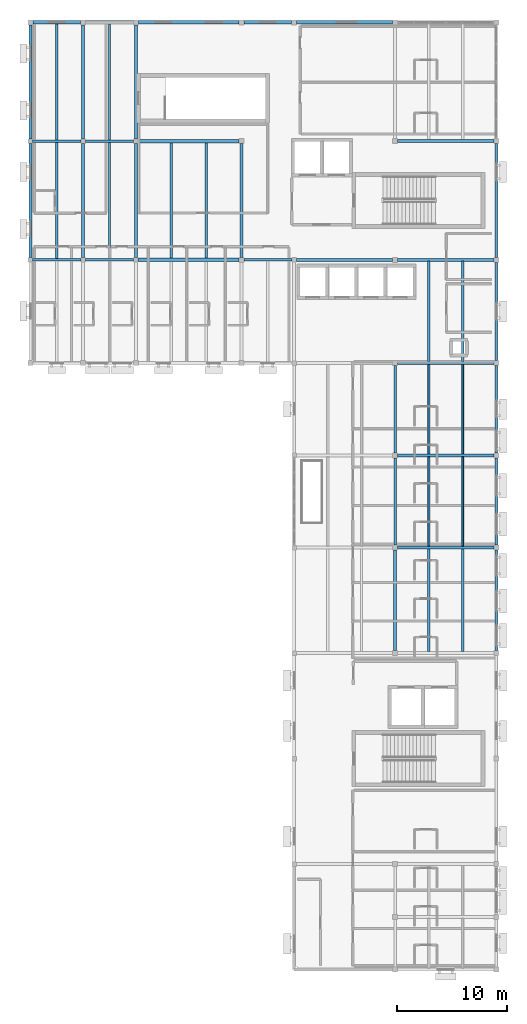
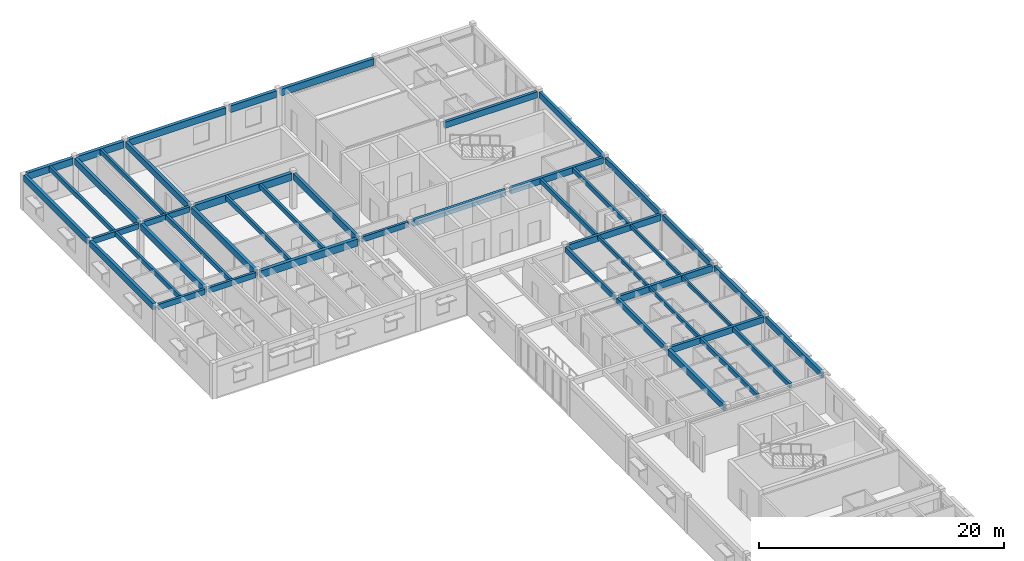
# One storey, part 3 of 17: 47 beams.
"""IFC4 building model written with IfcOpenShell, lengths in metres."""

from ifc_helpers import new_model, si_unit, direction, frame, origin, origin_2d, place, context, subcontext, project, spatial, rectangle, extrude, material, material_profile, profile_set, type_object, element, save


model = new_model("IFC4")

# Units and contexts
model_context = context("Model", 3, precision=1e-05, world=origin(), true_north=direction((0.0, 1.0)))
body_context = subcontext(model_context, "Body", "Model", "MODEL_VIEW")
ifc_project = project(units=[si_unit("LENGTHUNIT", "METRE"), si_unit("AREAUNIT", "SQUARE_METRE"), si_unit("VOLUMEUNIT", "CUBIC_METRE"), si_unit("PLANEANGLEUNIT", "RADIAN"), si_unit("MASSUNIT", "GRAM", prefix="KILO")], contexts=[model_context])

# Site, building, storey
site_placement = place(None, origin())
site = spatial("IfcSite", under=ifc_project, at=site_placement, CompositionType="ELEMENT")
building_placement = place(site_placement, origin())
building = spatial("IfcBuilding", under=site, at=building_placement, Name="Veldera Park Congress Hotel", CompositionType="ELEMENT")
storey_placement = place(building_placement, frame((0.0, 0.0, 35.199951171875)))
storey = spatial("IfcBuildingStorey", under=building, at=storey_placement, Name="L08", CompositionType="ELEMENT", Elevation=35.199951171875)

# Beams
ifc_material = material(Name="Glulam GL28h (NDS 24F-V4)", Category="wood")
ifc_material_profile_1 = material_profile(ifc_material, rectangle(XDim=0.239990234375, YDim=0.5400390625, at=origin_2d()), Name="GL28h 240x540")
ifc_profile_set_1 = profile_set([ifc_material_profile_1], Name="Glulam GL28h (NDS 24F-V4)")
beam_type_1 = type_object("IfcBeamType", Name="BM-GL540", PredefinedType="BEAM", material=ifc_profile_set_1)
for number, where, z_axis, x_axis, name in (
    (1, (41.81005859375, 36.39990234375, 3.295166015625), (1.0, 0.0, 0.0), (0.0, 1.0, 0.0), "L08 Girder BM-GL540 1749"),
    (2, (46.610107421875, 36.39990234375, 3.295166015625), (1.0, 0.0, 0.0), (0.0, 1.0, 0.0), "L08 Girder BM-GL540 1750"),
):
    element("IfcBeam", number, at=place(storey_placement, frame(where, z_axis=z_axis, x_axis=x_axis)), inside=storey, type_object=beam_type_1, Name=name, PredefinedType="BEAM", context=body_context, shape_type="SweptSolid", body=[
        extrude(rectangle(XDim=0.239990234375, YDim=0.5400390625, at=origin_2d()), origin(), (0.0, 0.0, 1.0), 4.3798828125),
    ])
beam_1_placement = place(storey_placement, frame((61.02490234375, 36.39990234375, 3.295166015625), z_axis=(1.0, 0.0, 0.0), x_axis=(0.0, 1.0, 0.0)))
element("IfcBeam", 3, at=beam_1_placement, inside=storey, type_object=beam_type_1, Name="L08 Girder BM-GL540 1752", PredefinedType="BEAM", context=body_context, shape_type="SweptSolid", body=[
    extrude(rectangle(XDim=0.239990234375, YDim=0.5400390625, at=origin_2d()), origin(), (0.0, 0.0, 1.0), 4.364990234375),
])
for number, where, z_axis, x_axis, name in (
    (4, (41.81005859375, 47.199951171875, 3.295166015625), (1.0, 0.0, 0.0), (0.0, 1.0, 0.0), "L08 Girder BM-GL540 1755"),
    (5, (46.610107421875, 47.199951171875, 3.295166015625), (1.0, 0.0, 0.0), (0.0, 1.0, 0.0), "L08 Girder BM-GL540 1756"),
):
    element("IfcBeam", number, at=place(storey_placement, frame(where, z_axis=z_axis, x_axis=x_axis)), inside=storey, type_object=beam_type_1, Name=name, PredefinedType="BEAM", context=body_context, shape_type="SweptSolid", body=[
        extrude(rectangle(XDim=0.239990234375, YDim=0.5400390625, at=origin_2d()), origin(), (0.0, 0.0, 1.0), 4.3798828125),
    ])
for number, where, z_axis, x_axis, name in (
    (6, (74.800048828125, 10.425048828125, 3.295166015625), (0.0, 1.0, 0.0), (-1.0, 0.0, 0.0), "L08 Girder BM-GL540 1785"),
    (7, (74.800048828125, 18.824951171875, 3.295166015625), (0.0, 1.0, 0.0), (-1.0, 0.0, 0.0), "L08 Girder BM-GL540 1786"),
):
    element("IfcBeam", number, at=place(storey_placement, frame(where, z_axis=z_axis, x_axis=x_axis)), inside=storey, type_object=beam_type_1, Name=name, PredefinedType="BEAM", context=body_context, shape_type="SweptSolid", body=[
        extrude(rectangle(XDim=0.239990234375, YDim=0.5400390625, at=origin_2d()), origin(), (0.0, 0.0, 1.0), 7.949951171875),
    ])
ifc_material_profile_2 = material_profile(ifc_material, rectangle(XDim=0.264892578125, YDim=0.580078125, at=origin_2d()), Name="GL28h 265x580")
ifc_profile_set_2 = profile_set([ifc_material_profile_2], Name="Glulam GL28h (NDS 24F-V4)")
beam_type_2 = type_object("IfcBeamType", Name="BM-GL540E", PredefinedType="BEAM", material=ifc_profile_set_2)
beam_2_placement = place(storey_placement, frame((84.0, 0.824951171875, 3.275146484375), z_axis=(0.0, 1.0, 0.0), x_axis=(-1.0, 0.0, 0.0)))
element("IfcBeam", 8, at=beam_2_placement, inside=storey, type_object=beam_type_2, Name="L08 Girder BM-GL540E 1792", PredefinedType="BEAM", context=body_context, shape_type="SweptSolid", body=[
    extrude(rectangle(XDim=0.264892578125, YDim=0.580078125, at=origin_2d()), origin(), (0.0, 0.0, 1.0), 9.150146484375),
])
for number, where, z_axis, x_axis, name in (
    (9, (84.0, 10.425048828125, 3.275146484375), (0.0, 1.0, 0.0), (-1.0, 0.0, 0.0), "L08 Girder BM-GL540E 1793"),
    (10, (84.0, 18.824951171875, 3.275146484375), (0.0, 1.0, 0.0), (-1.0, 0.0, 0.0), "L08 Girder BM-GL540E 1794"),
):
    element("IfcBeam", number, at=place(storey_placement, frame(where, z_axis=z_axis, x_axis=x_axis)), inside=storey, type_object=beam_type_2, Name=name, PredefinedType="BEAM", context=body_context, shape_type="SweptSolid", body=[
        extrude(rectangle(XDim=0.264892578125, YDim=0.580078125, at=origin_2d()), origin(), (0.0, 0.0, 1.0), 7.949951171875),
    ])
beam_3_placement = place(storey_placement, frame((84.0, 27.22509765625, 3.275146484375), z_axis=(0.0, 1.0, 0.0), x_axis=(-1.0, 0.0, 0.0)))
element("IfcBeam", 11, at=beam_3_placement, inside=storey, type_object=beam_type_2, Name="L08 Girder BM-GL540E 1795", PredefinedType="BEAM", context=body_context, shape_type="SweptSolid", body=[
    extrude(rectangle(XDim=0.264892578125, YDim=0.580078125, at=origin_2d()), origin(), (0.0, 0.0, 1.0), 8.949951171875),
])
beam_4_placement = place(storey_placement, frame((84.0, 36.625, 3.275146484375), z_axis=(0.0, 1.0, 0.0), x_axis=(-1.0, 0.0, 0.0)))
element("IfcBeam", 12, at=beam_4_placement, inside=storey, type_object=beam_type_2, Name="L08 Girder BM-GL540E 1796", PredefinedType="BEAM", context=body_context, shape_type="SweptSolid", body=[
    extrude(rectangle(XDim=0.264892578125, YDim=0.580078125, at=origin_2d()), origin(), (0.0, 0.0, 1.0), 10.35009765625),
])
ifc_material_profile_3 = material_profile(ifc_material, rectangle(XDim=0.264892578125, YDim=0.6201171875, at=origin_2d()), Name="GL28h 265x620")
ifc_profile_set_3 = profile_set([ifc_material_profile_3], Name="Glulam GL28h (NDS 24F-V4)")
beam_type_3 = type_object("IfcBeamType", Name="BM-GL620", PredefinedType="BEAM", material=ifc_profile_set_3)
for number, where, z_axis, x_axis, name in (
    (13, (75.02490234375, 10.199951171875, 3.255126953125), (1.0, 0.0, 0.0), (0.0, 1.0, 0.0), "L08 Girder BM-GL620 1740"),
    (14, (75.02490234375, 18.60009765625, 3.255126953125), (1.0, 0.0, 0.0), (0.0, 1.0, 0.0), "L08 Girder BM-GL620 1742"),
    (15, (75.02490234375, 27.0, 3.255126953125), (1.0, 0.0, 0.0), (0.0, 1.0, 0.0), "L08 Girder BM-GL620 1748"),
):
    element("IfcBeam", number, at=place(storey_placement, frame(where, z_axis=z_axis, x_axis=x_axis)), inside=storey, type_object=beam_type_3, Name=name, PredefinedType="BEAM", context=body_context, shape_type="SweptSolid", body=[
        extrude(rectangle(XDim=0.264892578125, YDim=0.6201171875, at=origin_2d()), origin(), (0.0, 0.0, 1.0), 8.75),
    ])
beam_5_placement = place(storey_placement, frame((65.81005859375, 36.39990234375, 3.255126953125), z_axis=(1.0, 0.0, 0.0), x_axis=(0.0, 1.0, 0.0)))
element("IfcBeam", 16, at=beam_5_placement, inside=storey, type_object=beam_type_3, Name="L08 Girder BM-GL620 1753", PredefinedType="BEAM", context=body_context, shape_type="SweptSolid", body=[
    extrude(rectangle(XDim=0.264892578125, YDim=0.6201171875, at=origin_2d()), origin(), (0.0, 0.0, 1.0), 8.764892578125),
])
for number, where, z_axis, x_axis, name in (
    (17, (75.02490234375, 36.39990234375, 3.255126953125), (1.0, 0.0, 0.0), (0.0, 1.0, 0.0), "L08 Girder BM-GL620 1754"),
    (18, (75.02490234375, 47.199951171875, 3.255126953125), (1.0, 0.0, 0.0), (0.0, 1.0, 0.0), "L08 Girder BM-GL620 1758"),
):
    element("IfcBeam", number, at=place(storey_placement, frame(where, z_axis=z_axis, x_axis=x_axis)), inside=storey, type_object=beam_type_3, Name=name, PredefinedType="BEAM", context=body_context, shape_type="SweptSolid", body=[
        extrude(rectangle(XDim=0.264892578125, YDim=0.6201171875, at=origin_2d()), origin(), (0.0, 0.0, 1.0), 8.75),
    ])
ifc_material_profile_4 = material_profile(ifc_material, rectangle(XDim=0.280029296875, YDim=0.639892578125, at=origin_2d()), Name="GL28h 280x640")
ifc_profile_set_4 = profile_set([ifc_material_profile_4], Name="Glulam GL28h (NDS 24F-V4)")
beam_type_4 = type_object("IfcBeamType", Name="BM-GL640", PredefinedType="BEAM", material=ifc_profile_set_4)
beam_6_placement = place(storey_placement, frame((41.60009765625, 36.610107421875, 3.2451171875), z_axis=(0.0, 1.0, 0.0), x_axis=(-1.0, 0.0, 0.0)))
element("IfcBeam", 19, at=beam_6_placement, inside=storey, type_object=beam_type_4, Name="L08 Girder BM-GL640 1766", PredefinedType="BEAM", context=body_context, shape_type="SweptSolid", body=[
    extrude(rectangle(XDim=0.280029296875, YDim=0.639892578125, at=origin_2d()), origin(), (0.0, 0.0, 1.0), 10.3798828125),
])
beam_7_placement = place(storey_placement, frame((41.60009765625, 47.409912109375, 3.2451171875), z_axis=(0.0, 1.0, 0.0), x_axis=(-1.0, 0.0, 0.0)))
element("IfcBeam", 20, at=beam_7_placement, inside=storey, type_object=beam_type_4, Name="L08 Girder BM-GL640 1767", PredefinedType="BEAM", context=body_context, shape_type="SweptSolid", body=[
    extrude(rectangle(XDim=0.280029296875, YDim=0.639892578125, at=origin_2d()), origin(), (0.0, 0.0, 1.0), 10.364990234375),
])
beam_8_placement = place(storey_placement, frame((46.39990234375, 36.610107421875, 3.2451171875), z_axis=(0.0, 1.0, 0.0), x_axis=(-1.0, 0.0, 0.0)))
element("IfcBeam", 21, at=beam_8_placement, inside=storey, type_object=beam_type_4, Name="L08 Girder BM-GL640 1769", PredefinedType="BEAM", context=body_context, shape_type="SweptSolid", body=[
    extrude(rectangle(XDim=0.280029296875, YDim=0.639892578125, at=origin_2d()), origin(), (0.0, 0.0, 1.0), 10.3798828125),
])
beam_9_placement = place(storey_placement, frame((46.39990234375, 47.409912109375, 3.2451171875), z_axis=(0.0, 1.0, 0.0), x_axis=(-1.0, 0.0, 0.0)))
element("IfcBeam", 22, at=beam_9_placement, inside=storey, type_object=beam_type_4, Name="L08 Girder BM-GL640 1770", PredefinedType="BEAM", context=body_context, shape_type="SweptSolid", body=[
    extrude(rectangle(XDim=0.280029296875, YDim=0.639892578125, at=origin_2d()), origin(), (0.0, 0.0, 1.0), 10.364990234375),
])
beam_10_placement = place(storey_placement, frame((51.199951171875, 36.610107421875, 3.2451171875), z_axis=(0.0, 1.0, 0.0), x_axis=(-1.0, 0.0, 0.0)))
element("IfcBeam", 23, at=beam_10_placement, inside=storey, type_object=beam_type_4, Name="L08 Girder BM-GL640 1772", PredefinedType="BEAM", context=body_context, shape_type="SweptSolid", body=[
    extrude(rectangle(XDim=0.280029296875, YDim=0.639892578125, at=origin_2d()), origin(), (0.0, 0.0, 1.0), 10.3798828125),
])
beam_11_placement = place(storey_placement, frame((51.199951171875, 47.409912109375, 3.2451171875), z_axis=(0.0, 1.0, 0.0), x_axis=(-1.0, 0.0, 0.0)))
element("IfcBeam", 24, at=beam_11_placement, inside=storey, type_object=beam_type_4, Name="L08 Girder BM-GL640 1773", PredefinedType="BEAM", context=body_context, shape_type="SweptSolid", body=[
    extrude(rectangle(XDim=0.280029296875, YDim=0.639892578125, at=origin_2d()), origin(), (0.0, 0.0, 1.0), 10.364990234375),
])
beam_12_placement = place(storey_placement, frame((60.800048828125, 36.625, 3.2451171875), z_axis=(0.0, 1.0, 0.0), x_axis=(-1.0, 0.0, 0.0)))
element("IfcBeam", 25, at=beam_12_placement, inside=storey, type_object=beam_type_4, Name="L08 Girder BM-GL640 1775", PredefinedType="BEAM", context=body_context, shape_type="SweptSolid", body=[
    extrude(rectangle(XDim=0.280029296875, YDim=0.639892578125, at=origin_2d()), origin(), (0.0, 0.0, 1.0), 10.35009765625),
])
beam_13_placement = place(storey_placement, frame((74.800048828125, 0.824951171875, 3.2451171875), z_axis=(0.0, 1.0, 0.0), x_axis=(-1.0, 0.0, 0.0)))
element("IfcBeam", 26, at=beam_13_placement, inside=storey, type_object=beam_type_4, Name="L08 Girder BM-GL640 1784", PredefinedType="BEAM", context=body_context, shape_type="SweptSolid", body=[
    extrude(rectangle(XDim=0.280029296875, YDim=0.639892578125, at=origin_2d()), origin(), (0.0, 0.0, 1.0), 9.150146484375),
])
ifc_material_profile_5 = material_profile(ifc_material, rectangle(XDim=0.31494140625, YDim=0.679931640625, at=origin_2d()), Name="GL28h 315x680")
ifc_profile_set_5 = profile_set([ifc_material_profile_5], Name="Glulam GL28h (NDS 24F-V4)")
beam_type_5 = type_object("IfcBeamType", Name="BM-GL640E", PredefinedType="BEAM", material=ifc_profile_set_5)
for number, where, z_axis, x_axis, name in (
    (27, (41.824951171875, 58.0, 3.22509765625), (1.0, 0.0, 0.0), (0.0, 1.0, 0.0), "L08 Girder BM-GL640E 1759"),
    (28, (46.625, 58.0, 3.22509765625), (1.0, 0.0, 0.0), (0.0, 1.0, 0.0), "L08 Girder BM-GL640E 1760"),
):
    element("IfcBeam", number, at=place(storey_placement, frame(where, z_axis=z_axis, x_axis=x_axis)), inside=storey, type_object=beam_type_5, Name=name, PredefinedType="BEAM", context=body_context, shape_type="SweptSolid", body=[
        extrude(rectangle(XDim=0.31494140625, YDim=0.679931640625, at=origin_2d()), origin(), (0.0, 0.0, 1.0), 4.35009765625),
    ])
beam_14_placement = place(storey_placement, frame((51.425048828125, 58.0, 3.22509765625), z_axis=(1.0, 0.0, 0.0), x_axis=(0.0, 1.0, 0.0)))
element("IfcBeam", 29, at=beam_14_placement, inside=storey, type_object=beam_type_5, Name="L08 Girder BM-GL640E 1761", PredefinedType="BEAM", context=body_context, shape_type="SweptSolid", body=[
    extrude(rectangle(XDim=0.31494140625, YDim=0.679931640625, at=origin_2d()), origin(), (0.0, 0.0, 1.0), 9.14990234375),
])
beam_15_placement = place(storey_placement, frame((61.02490234375, 58.0, 3.22509765625), z_axis=(1.0, 0.0, 0.0), x_axis=(0.0, 1.0, 0.0)))
element("IfcBeam", 30, at=beam_15_placement, inside=storey, type_object=beam_type_5, Name="L08 Girder BM-GL640E 1762", PredefinedType="BEAM", context=body_context, shape_type="SweptSolid", body=[
    extrude(rectangle(XDim=0.31494140625, YDim=0.679931640625, at=origin_2d()), origin(), (0.0, 0.0, 1.0), 4.35009765625),
])
beam_16_placement = place(storey_placement, frame((65.824951171875, 58.0, 3.22509765625), z_axis=(1.0, 0.0, 0.0), x_axis=(0.0, 1.0, 0.0)))
element("IfcBeam", 31, at=beam_16_placement, inside=storey, type_object=beam_type_5, Name="L08 Girder BM-GL640E 1763", PredefinedType="BEAM", context=body_context, shape_type="SweptSolid", body=[
    extrude(rectangle(XDim=0.31494140625, YDim=0.679931640625, at=origin_2d()), origin(), (0.0, 0.0, 1.0), 8.75),
])
ifc_material_profile_6 = material_profile(ifc_material, rectangle(XDim=0.31494140625, YDim=0.719970703125, at=origin_2d()), Name="GL28h 315x720")
ifc_profile_set_6 = profile_set([ifc_material_profile_6], Name="Glulam GL28h (NDS 24F-V4)")
beam_type_6 = type_object("IfcBeamType", Name="BM-GL720", PredefinedType="BEAM", material=ifc_profile_set_6)
for number, where, z_axis, x_axis, name in (
    (32, (51.409912109375, 36.39990234375, 3.205078125), (1.0, 0.0, 0.0), (0.0, 1.0, 0.0), "L08 Girder BM-GL720 1751"),
    (33, (51.409912109375, 47.199951171875, 3.205078125), (1.0, 0.0, 0.0), (0.0, 1.0, 0.0), "L08 Girder BM-GL720 1757"),
):
    element("IfcBeam", number, at=place(storey_placement, frame(where, z_axis=z_axis, x_axis=x_axis)), inside=storey, type_object=beam_type_6, Name=name, PredefinedType="BEAM", context=body_context, shape_type="SweptSolid", body=[
        extrude(rectangle(XDim=0.31494140625, YDim=0.719970703125, at=origin_2d()), origin(), (0.0, 0.0, 1.0), 9.1650390625),
    ])
ifc_material_profile_7 = material_profile(ifc_material, rectangle(XDim=0.179931640625, YDim=0.360107421875, at=origin_2d()), Name="GL28h 180x360")
ifc_profile_set_7 = profile_set([ifc_material_profile_7], Name="Glulam GL28h (NDS 24F-V4)")
beam_type_7 = type_object("IfcBeamType", Name="JST-GL360", PredefinedType="JOIST", material=ifc_profile_set_7)
for number, where, z_axis, x_axis, name in (
    (34, (77.86669921875, 10.33251953125, 3.385009765625), (0.0, 1.0, 0.0), (-1.0, 0.0, 0.0), "L08 Floor Joist JST-GL360 1808"),
    (35, (80.933349609375, 10.33251953125, 3.385009765625), (0.0, 1.0, 0.0), (-1.0, 0.0, 0.0), "L08 Floor Joist JST-GL360 1809"),
    (36, (77.86669921875, 18.732421875, 3.385009765625), (0.0, 1.0, 0.0), (-1.0, 0.0, 0.0), "L08 Floor Joist JST-GL360 1812"),
    (37, (80.933349609375, 18.732421875, 3.385009765625), (0.0, 1.0, 0.0), (-1.0, 0.0, 0.0), "L08 Floor Joist JST-GL360 1813"),
):
    element("IfcBeam", number, at=place(storey_placement, frame(where, z_axis=z_axis, x_axis=x_axis)), inside=storey, type_object=beam_type_7, Name=name, PredefinedType="JOIST", context=body_context, shape_type="SweptSolid", body=[
        extrude(rectangle(XDim=0.179931640625, YDim=0.360107421875, at=origin_2d()), origin(), (0.0, 0.0, 1.0), 8.135009765625),
    ])
ifc_material_profile_8 = material_profile(ifc_material, rectangle(XDim=0.215087890625, YDim=0.449951171875, at=origin_2d()), Name="GL28h 215x450")
ifc_profile_set_8 = profile_set([ifc_material_profile_8], Name="Glulam GL28h (NDS 24F-V4)")
beam_type_8 = type_object("IfcBeamType", Name="JST-GL450", PredefinedType="JOIST", material=ifc_profile_set_8)
for number, where, z_axis, x_axis, name in (
    (38, (77.86669921875, 0.732421875, 3.340087890625), (0.0, 1.0, 0.0), (-1.0, 0.0, 0.0), "L08 Floor Joist JST-GL450 1804"),
    (39, (80.933349609375, 0.732421875, 3.340087890625), (0.0, 1.0, 0.0), (-1.0, 0.0, 0.0), "L08 Floor Joist JST-GL450 1805"),
):
    element("IfcBeam", number, at=place(storey_placement, frame(where, z_axis=z_axis, x_axis=x_axis)), inside=storey, type_object=beam_type_8, Name=name, PredefinedType="JOIST", context=body_context, shape_type="SweptSolid", body=[
        extrude(rectangle(XDim=0.215087890625, YDim=0.449951171875, at=origin_2d()), origin(), (0.0, 0.0, 1.0), 9.3349609375),
    ])
for number, where, z_axis, x_axis, name in (
    (40, (77.86669921875, 27.132568359375, 3.340087890625), (0.0, 1.0, 0.0), (-1.0, 0.0, 0.0), "L08 Floor Joist JST-GL450 1819"),
    (41, (80.933349609375, 27.132568359375, 3.340087890625), (0.0, 1.0, 0.0), (-1.0, 0.0, 0.0), "L08 Floor Joist JST-GL450 1820"),
):
    element("IfcBeam", number, at=place(storey_placement, frame(where, z_axis=z_axis, x_axis=x_axis)), inside=storey, type_object=beam_type_8, Name=name, PredefinedType="JOIST", context=body_context, shape_type="SweptSolid", body=[
        extrude(rectangle(XDim=0.215087890625, YDim=0.449951171875, at=origin_2d()), origin(), (0.0, 0.0, 1.0), 9.135009765625),
    ])
for number, where, z_axis, x_axis, name in (
    (42, (44.0, 36.52001953125, 3.340087890625), (0.0, 1.0, 0.0), (-1.0, 0.0, 0.0), "L08 Floor Joist JST-GL450 1821"),
    (43, (48.800048828125, 36.52001953125, 3.340087890625), (0.0, 1.0, 0.0), (-1.0, 0.0, 0.0), "L08 Floor Joist JST-GL450 1822"),
):
    element("IfcBeam", number, at=place(storey_placement, frame(where, z_axis=z_axis, x_axis=x_axis)), inside=storey, type_object=beam_type_8, Name=name, PredefinedType="JOIST", context=body_context, shape_type="SweptSolid", body=[
        extrude(rectangle(XDim=0.215087890625, YDim=0.449951171875, at=origin_2d()), origin(), (0.0, 0.0, 1.0), 10.56005859375),
    ])
for number, where, z_axis, x_axis, name in (
    (44, (54.39990234375, 36.5576171875, 3.340087890625), (0.0, 1.0, 0.0), (-1.0, 0.0, 0.0), "L08 Floor Joist JST-GL450 1823"),
    (45, (57.60009765625, 36.5576171875, 3.340087890625), (0.0, 1.0, 0.0), (-1.0, 0.0, 0.0), "L08 Floor Joist JST-GL450 1824"),
):
    element("IfcBeam", number, at=place(storey_placement, frame(where, z_axis=z_axis, x_axis=x_axis)), inside=storey, type_object=beam_type_8, Name=name, PredefinedType="JOIST", context=body_context, shape_type="SweptSolid", body=[
        extrude(rectangle(XDim=0.215087890625, YDim=0.449951171875, at=origin_2d()), origin(), (0.0, 0.0, 1.0), 10.48486328125),
    ])
for number, where, z_axis, x_axis, name in (
    (46, (44.0, 47.320068359375, 3.340087890625), (0.0, 1.0, 0.0), (-1.0, 0.0, 0.0), "L08 Floor Joist JST-GL450 1825"),
    (47, (48.800048828125, 47.320068359375, 3.340087890625), (0.0, 1.0, 0.0), (-1.0, 0.0, 0.0), "L08 Floor Joist JST-GL450 1826"),
):
    element("IfcBeam", number, at=place(storey_placement, frame(where, z_axis=z_axis, x_axis=x_axis)), inside=storey, type_object=beam_type_8, Name=name, PredefinedType="JOIST", context=body_context, shape_type="SweptSolid", body=[
        extrude(rectangle(XDim=0.215087890625, YDim=0.449951171875, at=origin_2d()), origin(), (0.0, 0.0, 1.0), 10.5224609375),
    ])

save(model, "model.ifc")
